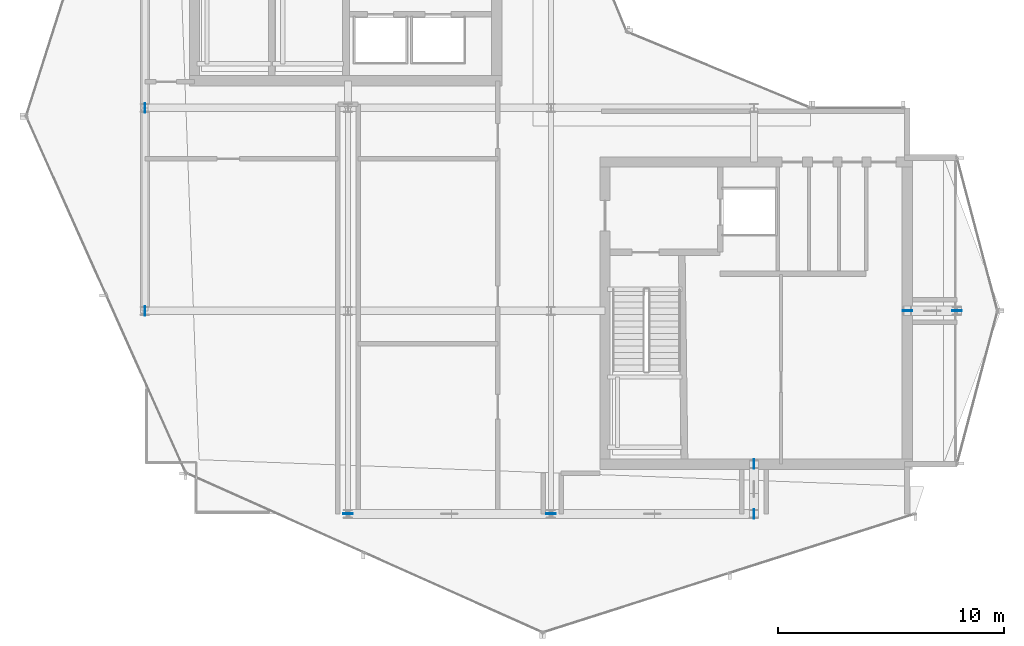
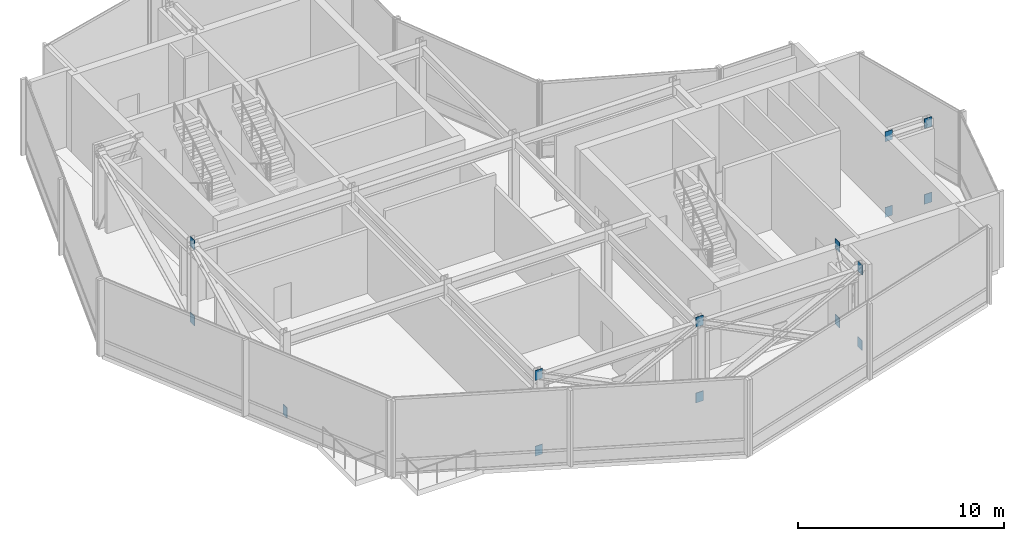
# One storey, part 16 of 23: 15 plates.
"""IFC4 building model written with IfcOpenShell, lengths in metres."""

from ifc_helpers import new_model, si_unit, direction, frame, origin, origin_2d, place, context, subcontext, project, spatial, rectangle, extrude, material, layer, layer_set, type_object, element, save


model = new_model("IFC4")

# Units and contexts
model_context = context("Model", 3, precision=1e-05, world=origin(), true_north=direction((0.0, 1.0)))
body_context = subcontext(model_context, "Body", "Model", "MODEL_VIEW")
ifc_project = project(units=[si_unit("LENGTHUNIT", "METRE"), si_unit("AREAUNIT", "SQUARE_METRE"), si_unit("VOLUMEUNIT", "CUBIC_METRE"), si_unit("PLANEANGLEUNIT", "RADIAN"), si_unit("MASSUNIT", "GRAM", prefix="KILO")], contexts=[model_context])

# Site, building, storey
site_placement = place(None, origin())
site = spatial("IfcSite", under=ifc_project, at=site_placement, CompositionType="ELEMENT")
building_placement = place(site_placement, origin())
building = spatial("IfcBuilding", under=site, at=building_placement, Name="Solvaryn Broadcast Tower", CompositionType="ELEMENT")
storey_placement = place(building_placement, frame((0.0, 0.0, 285.199951171875)))
storey = spatial("IfcBuildingStorey", under=building, at=storey_placement, Name="L72", CompositionType="ELEMENT", Elevation=285.199951171875)

# Plates
ifc_material = material(Name="Steel ASTM A572 Grade 50", Category="steel")
ifc_layer = layer(ifc_material, 0.031982421875)
ifc_layer_set = layer_set([ifc_layer], Name="PL-ENDCAP-32")
plate_type = type_object("IfcPlateType", Name="PL-ENDCAP-32", PredefinedType="USERDEFINED", material=ifc_layer_set)
for number, where, z_axis, x_axis, name in (
    (1, (36.0, 11.199951171875, -0.27001953125), (0.0, 0.0, 1.0), (1.0, 0.0, 0.0), "L72 Outrigger X-Brace S Continuous Diagonal End Plate A"),
    (2, (36.0, 9.0, 4.2099609375), (0.0, 0.0, 1.0), (1.0, 0.0, 0.0), "L72 Outrigger X-Brace S Continuous Diagonal End Plate B"),
    (3, (36.0, 11.199951171875, 4.2099609375), (0.0, 0.0, 1.0), (1.0, 0.0, 0.0), "L72 Outrigger X-Brace S End Plate 2A"),
    (4, (36.0, 9.0, -0.27001953125), (0.0, 0.0, 1.0), (1.0, 0.0, 0.0), "L72 Outrigger X-Brace S End Plate 2B"),
):
    element("IfcPlate", number, at=place(storey_placement, frame(where, z_axis=z_axis, x_axis=x_axis)), inside=storey, type_object=plate_type, Name=name, ObjectType="FLANGE_PLATE", PredefinedType="USERDEFINED", context=body_context, shape_type="SweptSolid", body=[
        extrude(rectangle(XDim=0.031982421875, YDim=0.419921875, at=origin_2d()), origin(), (0.0, 0.0, 1.0), 0.580078125),
    ])
for number, where, z_axis, x_axis, name in (
    (5, (42.800048828125, 18.0, -0.27001953125), (0.0, 0.0, 1.0), (1.0, 0.0, 0.0), "L72 Outrigger X-Brace E Continuous Diagonal End Plate A"),
    (6, (45.0, 18.0, 4.2099609375), (0.0, 0.0, 1.0), (1.0, 0.0, 0.0), "L72 Outrigger X-Brace E Continuous Diagonal End Plate B"),
    (7, (42.800048828125, 18.0, 4.2099609375), (0.0, 0.0, 1.0), (1.0, 0.0, 0.0), "L72 Outrigger X-Brace E End Plate 2A"),
    (8, (45.0, 18.0, -0.27001953125), (0.0, 0.0, 1.0), (1.0, 0.0, 0.0), "L72 Outrigger X-Brace E End Plate 2B"),
    (9, (18.0, 9.0, -0.27001953125), (0.0, 0.0, 1.0), (1.0, 0.0, 0.0), "L72 South Belt X-Brace 3 Continuous Diagonal End Plate A"),
    (10, (27.0, 9.0, 4.2099609375), (0.0, 0.0, 1.0), (1.0, 0.0, 0.0), "L72 South Belt X-Brace 3 Continuous Diagonal End Plate B"),
    (11, (27.0, 9.0, -0.27001953125), (0.0, 0.0, 1.0), (1.0, 0.0, 0.0), "L72 South Belt X-Brace 3 End Plate 2A"),
    (12, (18.0, 9.0, 4.2099609375), (0.0, 0.0, 1.0), (1.0, 0.0, 0.0), "L72 South Belt X-Brace 3 End Plate 2B"),
):
    element("IfcPlate", number, at=place(storey_placement, frame(where, z_axis=z_axis, x_axis=x_axis)), inside=storey, type_object=plate_type, Name=name, ObjectType="FLANGE_PLATE", PredefinedType="USERDEFINED", context=body_context, shape_type="SweptSolid", body=[
        extrude(rectangle(XDim=0.419921875, YDim=0.031982421875, at=origin_2d()), origin(), (0.0, 0.0, 1.0), 0.580078125),
    ])
for number, where, z_axis, x_axis, name in (
    (13, (9.0, 18.0, -0.27001953125), (0.0, 0.0, 1.0), (1.0, 0.0, 0.0), "L72 West Belt Diagonal 3 End Plate A"),
    (14, (9.0, 27.0, 4.2099609375), (0.0, 0.0, 1.0), (1.0, 0.0, 0.0), "L72 West Belt Diagonal 3 End Plate B"),
    (15, (9.0, 27.0, -0.27001953125), (0.0, 0.0, 1.0), (1.0, 0.0, 0.0), "L72 West Belt Diagonal 4 End Plate A"),
):
    element("IfcPlate", number, at=place(storey_placement, frame(where, z_axis=z_axis, x_axis=x_axis)), inside=storey, type_object=plate_type, Name=name, ObjectType="FLANGE_PLATE", PredefinedType="USERDEFINED", context=body_context, shape_type="SweptSolid", body=[
        extrude(rectangle(XDim=0.031982421875, YDim=0.419921875, at=origin_2d()), origin(), (0.0, 0.0, 1.0), 0.580078125),
    ])

save(model, "model.ifc")
